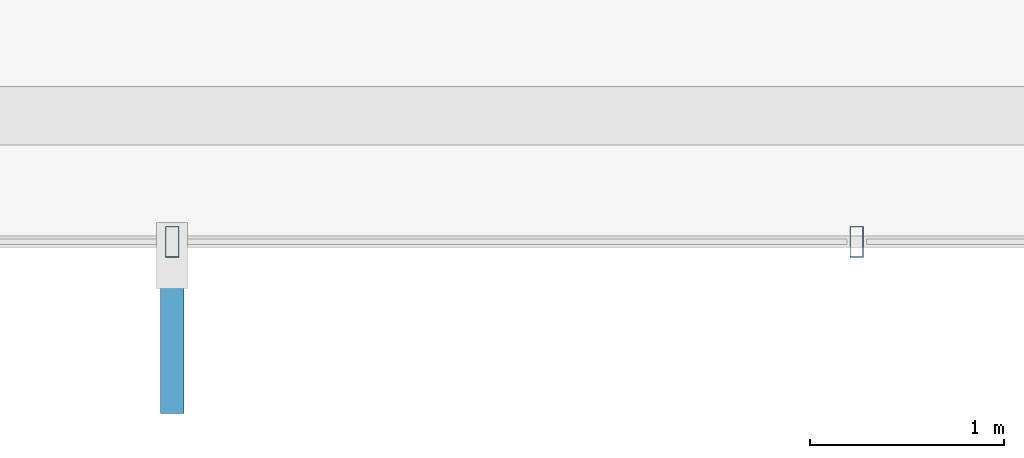
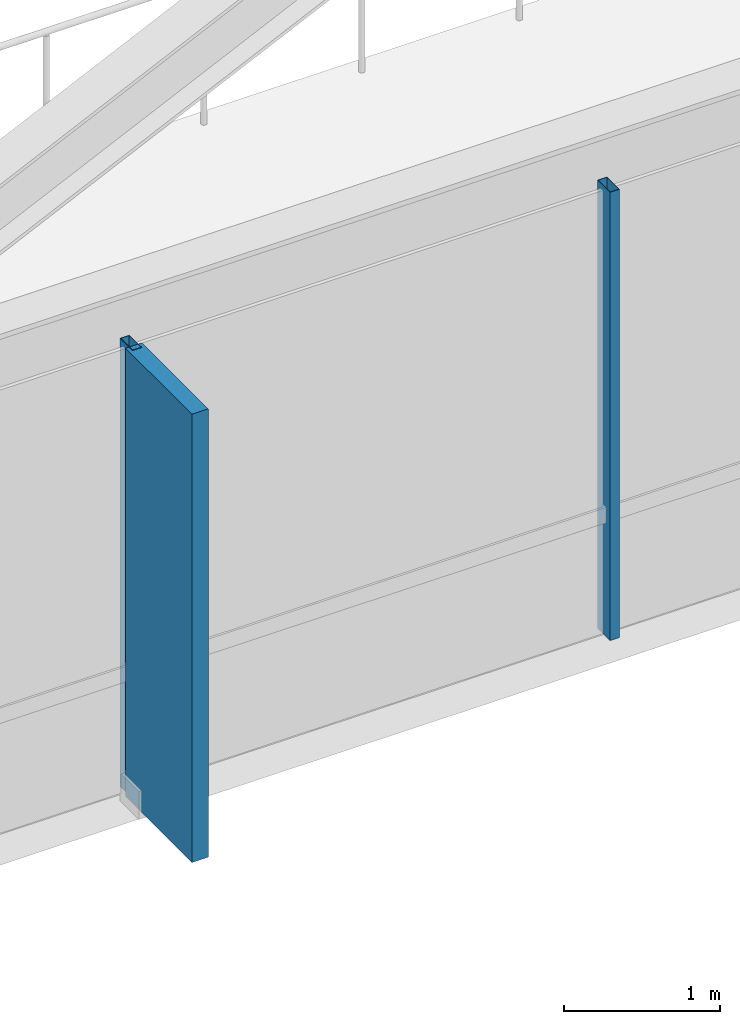
# One storey, part 6 of 28: 3 members, 1 element without a shape of its own.
"""IFC4 building model written with IfcOpenShell, lengths in metres."""

from ifc_helpers import new_model, si_unit, direction, frame, origin, origin_2d, place, context, subcontext, project, spatial, rectangle, hollow_rectangle, extrude, material, layer, layer_set, material_profile, profile_set, type_object, element, aggregate, save


model = new_model("IFC4")

# Units and contexts
model_context = context("Model", 3, precision=1e-05, world=origin(), true_north=direction((0.0, 1.0)))
body_context = subcontext(model_context, "Body", "Model", "MODEL_VIEW")
ifc_project = project(units=[si_unit("LENGTHUNIT", "METRE"), si_unit("AREAUNIT", "SQUARE_METRE"), si_unit("VOLUMEUNIT", "CUBIC_METRE"), si_unit("PLANEANGLEUNIT", "RADIAN"), si_unit("MASSUNIT", "GRAM", prefix="KILO")], contexts=[model_context])

# Site, building, storey
site_placement = place(None, origin())
site = spatial("IfcSite", under=ifc_project, at=site_placement, CompositionType="ELEMENT")
building_placement = place(site_placement, origin())
building = spatial("IfcBuilding", under=site, at=building_placement, Name="Zarrinselat Tower", CompositionType="ELEMENT")
storey_placement = place(building_placement, frame((0.0, 0.0, 123.419921875)))
storey = spatial("IfcBuildingStorey", under=building, at=storey_placement, Name="L29", CompositionType="ELEMENT", Elevation=123.419921875)

# Curtain wall, members
ifc_material_1 = material(Name="Extruded Aluminium Alloy EN AW-6063 T6", Category="aluminium")
ifc_layer = layer(ifc_material_1, 0.175048828125)
ifc_layer_set = layer_set([ifc_layer], Name="Extruded Aluminium Alloy EN AW-6063 T6")
curtain_wall_type = type_object("IfcCurtainWallType", Name="CWS-HTL", PredefinedType="NOTDEFINED", material=ifc_layer_set)
curtain_wall_placement = place(storey_placement, origin())
curtain_wall = element("IfcCurtainWall", 1, at=curtain_wall_placement, inside=storey, type_object=curtain_wall_type, Name="L29 Unitised Curtain Wall CW-L29-E04", PredefinedType="NOTDEFINED")
ifc_material_2 = material(Name="Extruded Aluminium Alloy EN AW-6063 T6", Category="aluminium")
ifc_material_profile_1 = material_profile(ifc_material_2, hollow_rectangle(XDim=0.070068359375, YDim=0.159912109375, WallThickness=0.00390625, at=origin_2d()), Name="RHS 160x70x4")
ifc_profile_set_1 = profile_set([ifc_material_profile_1], Name="Extruded Aluminium Alloy EN AW-6063 T6")
member_type_1 = type_object("IfcMemberType", Name="MEM-CW-MUL2", PredefinedType="MULLION", material=ifc_profile_set_1)
member_1_placement = place(storey_placement, frame((33.109375, 18.06640625, 0.0), z_axis=(0.0, 0.0, 1.0), x_axis=(1.0, 0.0, 0.0)))
member_1 = element("IfcMember", 2, at=member_1_placement, type_object=member_type_1, Name="CW-L29-E04 Mullion 1", PredefinedType="MULLION", context=body_context, shape_type="SweptSolid", body=[
    extrude(hollow_rectangle(XDim=0.070068359375, YDim=0.159912109375, WallThickness=0.00390625, at=origin_2d()), origin(), (0.0, 0.0, 1.0), 3.5),
])
member_2_placement = place(storey_placement, frame((36.636474609375, 18.06640625, 0.0), z_axis=(0.0, 0.0, 1.0), x_axis=(1.0, 0.0, 0.0)))
member_2 = element("IfcMember", 3, at=member_2_placement, type_object=member_type_1, Name="CW-L29-E04 Mullion 2", PredefinedType="MULLION", context=body_context, shape_type="SweptSolid", body=[
    extrude(hollow_rectangle(XDim=0.070068359375, YDim=0.159912109375, WallThickness=0.00390625, at=origin_2d()), origin(), (0.0, 0.0, 1.0), 3.5),
])
ifc_material_3 = material(Name="Honed Cream Travertine Stone", Category="masonry")
ifc_material_profile_2 = material_profile(ifc_material_3, rectangle(XDim=0.1201171875, YDim=0.85009765625, at=origin_2d()), Name="FIN 850x120")
ifc_profile_set_2 = profile_set([ifc_material_profile_2], Name="Honed Cream Travertine Stone")
member_type_2 = type_object("IfcMemberType", Name="MEM-STONE-FIN", PredefinedType="USERDEFINED", material=ifc_profile_set_2)
member_3_placement = place(storey_placement, frame((33.109375, 17.606201171875, 0.0), z_axis=(0.0, 0.0, 1.0), x_axis=(-1.0, 0.0, 0.0)))
member_3 = element("IfcMember", 4, at=member_3_placement, type_object=member_type_2, Name="L29 Stone Shading Fin CW-L29-E04-01", ObjectType="FIN", PredefinedType="USERDEFINED", context=body_context, shape_type="SweptSolid", body=[
    extrude(rectangle(XDim=0.1201171875, YDim=0.85009765625, at=origin_2d()), origin(), (0.0, 0.0, 1.0), 3.5),
])
aggregate(curtain_wall, [member_1, member_3, member_2])

save(model, "model.ifc")
